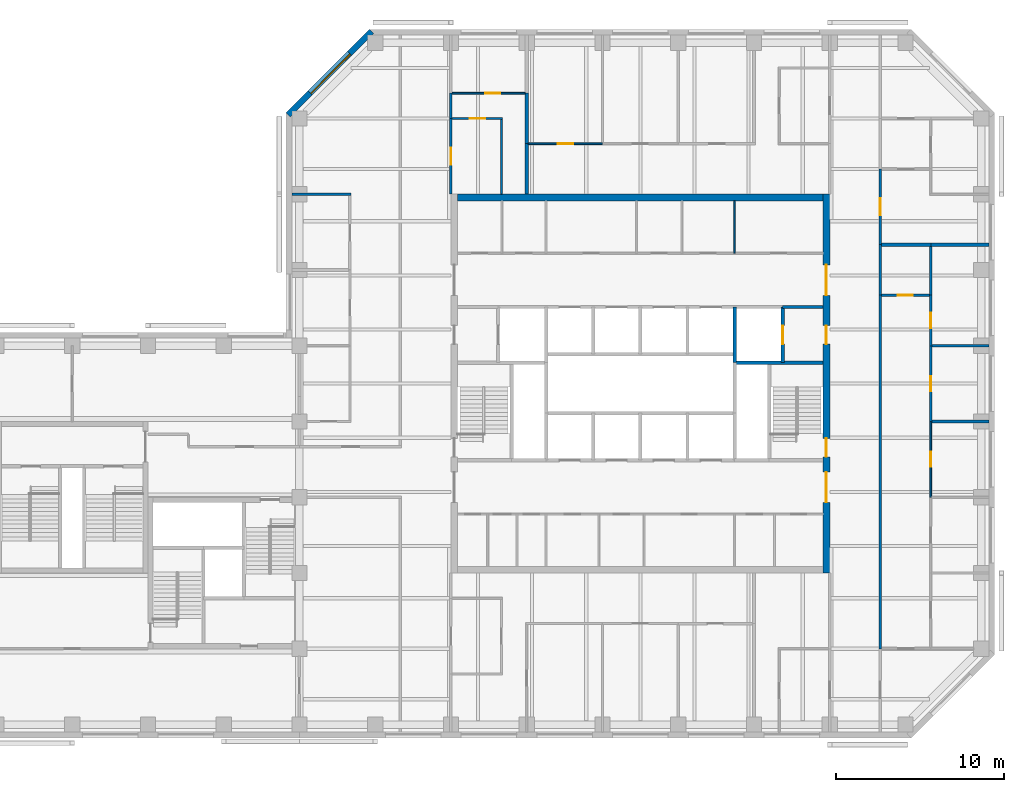
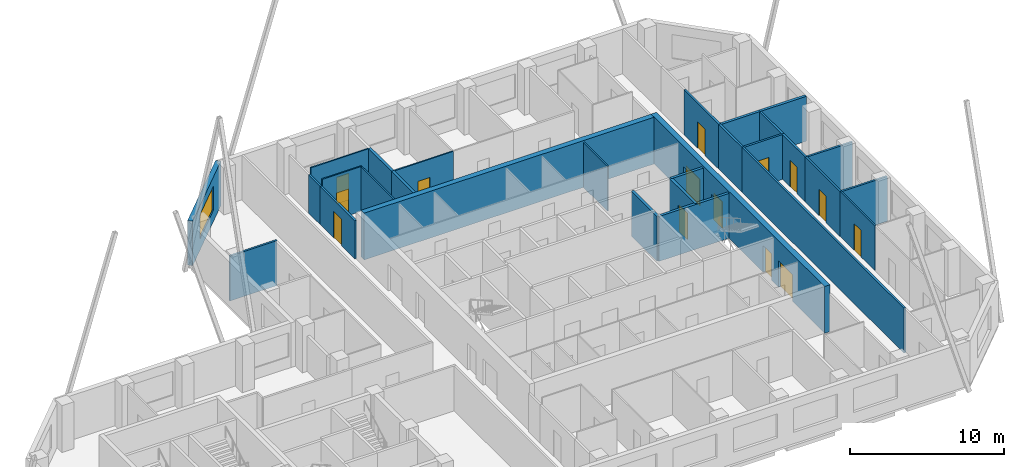
# One storey, part 7 of 10: 29 walls, 14 doors, 1 window, 15 openings.
"""IFC4 building model written with IfcOpenShell, lengths in metres."""

import ifcopenshell
import ifcopenshell.guid

model = None  # the IFC model being written
_history = None  # IfcOwnerHistory: only IFC2X3 demands one
_inside = {}  # id of a spatial element -> (the spatial element, [elements in it])
_under = {}  # id of a project, library or spatial element -> (it, [spatial elements below it])
_declared = {}  # id of a project -> (the project, [libraries it declares])
_typed = {}  # id of a type object -> (the type object, [elements of that type])
_made_of = {}  # id of a material, layer set ... -> (it, [elements and type objects made of it])


def new_model(schema):
    """Start an empty IFC model of exactly this schema.

    Asked for "IFC4X3", IfcOpenShell would pick the latest addendum, in which some entities
    have other attributes; the version numbers below select the first issue.
    IFC2X3 requires an IfcOwnerHistory on every rooted entity: one is made here for all.
    """
    global model, _history
    if schema == "IFC4X3":
        model = ifcopenshell.file(schema_version=(4, 3, 0, 0))
    else:
        model = ifcopenshell.file(schema=schema)
    _inside.clear()
    _under.clear()
    _declared.clear()
    _typed.clear()
    _made_of.clear()
    _history = None
    if model.schema == "IFC2X3":
        org = make("IfcOrganization", Name="unknown")
        user = make(
            "IfcPersonAndOrganization",
            ThePerson=make("IfcPerson", FamilyName="unknown"),
            TheOrganization=org,
        )
        app = make(
            "IfcApplication",
            ApplicationDeveloper=org,
            Version="unknown",
            ApplicationFullName="unknown",
            ApplicationIdentifier="unknown",
        )
        _history = make(
            "IfcOwnerHistory",
            OwningUser=user,
            OwningApplication=app,
            ChangeAction="ADDED",
            CreationDate=0,
        )
    return model


def make(cls, **values):
    """One entity of the class cls with the attributes given. An attribute that is None is left unset."""
    return model.create_entity(
        cls, **{name: value for name, value in values.items() if value is not None}
    )


def rooted(cls, **values):
    """An entity with a GlobalId (a new one), such as an element, a storey or a relation."""
    return make(cls, GlobalId=ifcopenshell.guid.new(), OwnerHistory=_history, **values)


def si_unit(unit_type, name, prefix=None):
    """IfcSIUnit, for example si_unit("LENGTHUNIT", "METRE", prefix="MILLI")."""
    return make("IfcSIUnit", UnitType=unit_type, Prefix=prefix, Name=name)


def assignment(units):
    """IfcUnitAssignment: the units of a project."""
    return None if units is None else make("IfcUnitAssignment", Units=units)


def point(xyz):
    """IfcCartesianPoint."""
    return None if xyz is None else make("IfcCartesianPoint", Coordinates=xyz)


def direction(xyz):
    """IfcDirection."""
    return None if xyz is None else make("IfcDirection", DirectionRatios=xyz)


def frame(location, z_axis=None, x_axis=None):
    """IfcAxis2Placement3D, a coordinate frame: its origin and axes. An axis left out is left unset."""
    return make(
        "IfcAxis2Placement3D",
        Location=point(location),
        Axis=direction(z_axis),
        RefDirection=direction(x_axis),
    )


def frame_2d(location, x_axis=None):
    """IfcAxis2Placement2D, a coordinate frame in the plane: its origin and x axis."""
    return make(
        "IfcAxis2Placement2D", Location=point(location), RefDirection=direction(x_axis)
    )


def origin():
    """The frame at (0, 0, 0) with its axes left unset."""
    return frame((0.0, 0.0, 0.0))


def place(relative_to, where):
    """IfcLocalPlacement: puts the frame where relative to a parent placement (None: the world)."""
    return make(
        "IfcLocalPlacement", PlacementRelTo=relative_to, RelativePlacement=where
    )


def context(
    kind, dimensions, precision=None, world=None, true_north=None, identifier=None
):
    """IfcGeometricRepresentationContext, for example the 3D "Model" context."""
    return make(
        "IfcGeometricRepresentationContext",
        ContextIdentifier=identifier,
        ContextType=kind,
        CoordinateSpaceDimension=dimensions,
        Precision=precision,
        WorldCoordinateSystem=world,
        TrueNorth=true_north,
    )


def subcontext(parent, identifier, kind, view, scale=None):
    """IfcGeometricRepresentationSubContext, for example "Body" below "Model"."""
    return make(
        "IfcGeometricRepresentationSubContext",
        ContextIdentifier=identifier,
        ContextType=kind,
        ParentContext=parent,
        TargetScale=scale,
        TargetView=view,
    )


def project(units=None, contexts=None):
    """IfcProject with its units and contexts."""
    return rooted(
        "IfcProject",
        Name="project",
        RepresentationContexts=contexts,
        UnitsInContext=assignment(units),
    )


def spatial(cls, under=None, at=None, **own):
    """A site, building, storey or space (cls), placed at a placement, below another one or the project."""
    s = rooted(cls, ObjectPlacement=at, **own)
    if under is not None:
        _under.setdefault(under.id(), (under, []))[1].append(s)
    return s


def profile(cls, at=None, kind="AREA", **sizes):
    """A parametric profile (cls). Its sizes go by their IFC names, for example OverallWidth=200.0."""
    return make(cls, ProfileType=kind, Position=at, **sizes)


def rectangle(**sizes):
    """IfcRectangleProfileDef."""
    return profile("IfcRectangleProfileDef", **sizes)


def extrude(swept, where, along, depth):
    """IfcExtrudedAreaSolid: the profile swept, set in the frame where, extruded along a direction by depth."""
    return make(
        "IfcExtrudedAreaSolid",
        SweptArea=swept,
        Position=where,
        ExtrudedDirection=direction(along),
        Depth=depth,
    )


def shape(context_of_items, identifier, shape_type, items):
    """IfcShapeRepresentation: the items that make up one representation, for example the "Body"."""
    return make(
        "IfcShapeRepresentation",
        ContextOfItems=context_of_items,
        RepresentationIdentifier=identifier,
        RepresentationType=shape_type,
        Items=items,
    )


def material(Name=None, Category=None):
    """IfcMaterial."""
    return make("IfcMaterial", Name=Name, Category=Category)


def layer(
    of_material, thickness, ventilated=None, Name=None, Category=None, Priority=None
):
    """IfcMaterialLayer: one layer of a wall or slab, of a material (None: an air gap)."""
    return make(
        "IfcMaterialLayer",
        Material=of_material,
        LayerThickness=thickness,
        IsVentilated=ventilated,
        Name=Name,
        Category=Category,
        Priority=Priority,
    )


def layer_set(layers, Name=None):
    """IfcMaterialLayerSet."""
    return make("IfcMaterialLayerSet", MaterialLayers=layers, LayerSetName=Name)


def constituent(of_material, Name=None, Category=None, fraction=None):
    """IfcMaterialConstituent: one of the materials an element consists of."""
    return make(
        "IfcMaterialConstituent",
        Name=Name,
        Material=of_material,
        Fraction=fraction,
        Category=Category,
    )


def constituent_set(constituents=None, Name=None):
    """IfcMaterialConstituentSet."""
    return make(
        "IfcMaterialConstituentSet", Name=Name, MaterialConstituents=constituents
    )


def made_of(thing, what):
    """Note that an element or type object is made of a material, layer set ...; save() writes the relation."""
    if what is not None:
        _made_of.setdefault(what.id(), (what, []))[1].append(thing)
    return thing


def type_object(cls, material=None, **own):
    """A type object (cls), such as IfcWallType, which elements share."""
    return made_of(rooted(cls, **own), material)


def element(
    cls,
    number,
    at=None,
    inside=None,
    cuts=None,
    type_object=None,
    material=None,
    context=None,
    identifier="Body",
    shape_type=None,
    held_by="IfcProductDefinitionShape",
    body=None,
    shapes=None,
    **own,
):
    """One element of the class cls, such as IfcWall. Its Tag is "e" and its number.

    at: its placement. inside: the storey or other place that contains it. cuts: it is an
    opening in that element (IfcRelVoidsElement). A single representation is given by context,
    identifier, shape_type and body (its items); several are given by shapes. held_by: the class
    of the entity that holds the representations. save() writes the other relations.
    """
    e = rooted(cls, Tag="e%d" % number, ObjectPlacement=at, **own)
    if body is not None:
        shapes = [shape(context, identifier, shape_type, body)]
    if shapes is not None:
        e.Representation = make(held_by, Representations=shapes)
    if inside is not None:
        _inside.setdefault(inside.id(), (inside, []))[1].append(e)
    if cuts is not None:
        rooted(
            "IfcRelVoidsElement", RelatingBuildingElement=cuts, RelatedOpeningElement=e
        )
    if type_object is not None:
        _typed.setdefault(type_object.id(), (type_object, []))[1].append(e)
    return made_of(e, material)


def fill(opening, filler):
    """IfcRelFillsElement: the door or window that sits in an opening."""
    return rooted(
        "IfcRelFillsElement",
        RelatingOpeningElement=opening,
        RelatedBuildingElement=filler,
    )


def aggregate(whole, parts):
    """IfcRelAggregates: a whole, such as a stair, and the parts it consists of."""
    return rooted("IfcRelAggregates", RelatingObject=whole, RelatedObjects=parts)


def save(model, path):
    """Write the relations noted so far, then the file.

    IfcRelAggregates (storeys below a building ...), IfcRelContainedInSpatialStructure (elements
    in a storey), IfcRelDefinesByType, IfcRelAssociatesMaterial and IfcRelDeclares: one each for
    every whole, place, type object, material and project.
    """
    for whole, parts in _under.values():
        aggregate(whole, parts)
    for where, things in _inside.values():
        rooted(
            "IfcRelContainedInSpatialStructure",
            RelatedElements=things,
            RelatingStructure=where,
        )
    for kind, things in _typed.values():
        rooted("IfcRelDefinesByType", RelatedObjects=things, RelatingType=kind)
    for what, things in _made_of.values():
        rooted("IfcRelAssociatesMaterial", RelatedObjects=things, RelatingMaterial=what)
    for by, libraries in _declared.values():
        rooted("IfcRelDeclares", RelatingContext=by, RelatedDefinitions=libraries)
    model.write(path)


model = new_model("IFC4")

# Units and contexts
model_context = context("Model", 3, precision=1e-05, world=origin(), true_north=direction((0.0, 1.0)))
body_context = subcontext(model_context, "Body", "Model", "MODEL_VIEW")
ifc_project = project(units=[si_unit("LENGTHUNIT", "METRE"), si_unit("AREAUNIT", "SQUARE_METRE"), si_unit("VOLUMEUNIT", "CUBIC_METRE"), si_unit("PLANEANGLEUNIT", "RADIAN"), si_unit("MASSUNIT", "GRAM", prefix="KILO")], contexts=[model_context])

# Site, building, storey
site_placement = place(None, origin())
site = spatial("IfcSite", under=ifc_project, at=site_placement, CompositionType="ELEMENT")
building_placement = place(site_placement, origin())
building = spatial("IfcBuilding", under=site, at=building_placement, Name="Quoin Convention Tower", CompositionType="ELEMENT")
storey_placement = place(building_placement, frame((0.0, 0.0, 188.39990234375)))
storey = spatial("IfcBuildingStorey", under=building, at=storey_placement, Name="L49", CompositionType="ELEMENT", Elevation=188.39990234375)

# Walls
ifc_material_1 = material(Name="Plasterboard")
ifc_layer_1 = layer(ifc_material_1, 0.012451171875, Name="Finish")
ifc_material_2 = material(Name="Steel stud framing", Category="steel")
ifc_layer_2 = layer(ifc_material_2, 0.125, Name="Structure")
ifc_layer_3 = layer(ifc_material_1, 0.012451171875, Name="Finish")
ifc_layer_set_1 = layer_set([ifc_layer_1, ifc_layer_2, ifc_layer_3], Name="Steel stud framing")
wall_type_1 = type_object("IfcWallType", Name="Acoustic partition 150", PredefinedType="PARTITIONING", material=ifc_layer_set_1)
for number, where, z_axis, x_axis, name in (
    (1, (73.574951171875, 58.5, 0.0), (0.0, 0.0, 1.0), (1.0, 0.0, 0.0), "pw-L49-022"),
    (2, (73.574951171875, 63.0, 0.0), (0.0, 0.0, 1.0), (1.0, 0.0, 0.0), "pw-L49-027"),
):
    element("IfcWall", number, at=place(storey_placement, frame(where, z_axis=z_axis, x_axis=x_axis)), inside=storey, type_object=wall_type_1, Name=name, PredefinedType="PARTITIONING", context=body_context, shape_type="SweptSolid", body=[
        extrude(rectangle(XDim=3.375, YDim=0.14990234375, at=frame_2d((1.6875, 0.0))), origin(), (0.0, 0.0, 1.0), 3.550048828125),
    ])
wall_1_placement = place(storey_placement, frame((35.550048828125, 72.0, 0.0), z_axis=(0.0, 0.0, 1.0), x_axis=(1.0, 0.0, 0.0)))
element("IfcWall", 3, at=wall_1_placement, inside=storey, type_object=wall_type_1, Name="pw-L49-032", PredefinedType="PARTITIONING", context=body_context, shape_type="SweptSolid", body=[
    extrude(rectangle(XDim=3.52490234375, YDim=0.14990234375, at=frame_2d((1.762451171875, 0.0))), origin(), (0.0, 0.0, 1.0), 3.550048828125),
])

# Wall, opening, door
wall_2_placement = place(storey_placement, frame((73.5, 58.5, 0.0), z_axis=(0.0, 0.0, 1.0), x_axis=(0.0, 1.0, 0.0)))
wall_2 = element("IfcWall", 4, at=wall_2_placement, inside=storey, type_object=wall_type_1, Name="pw-L49-074", PredefinedType="PARTITIONING", context=body_context, shape_type="SweptSolid", body=[
    extrude(rectangle(XDim=4.5, YDim=0.14990234375, at=frame_2d((2.25, 0.0))), origin(), (0.0, 0.0, 1.0), 3.550048828125),
])
opening_1_placement = place(wall_2_placement, frame((1.800048828125, 0.0, 0.0)))
opening_1 = element("IfcOpeningElement", 5, at=opening_1_placement, cuts=wall_2, Name="Opening DOH6-25", PredefinedType="OPENING", context=body_context, shape_type="SweptSolid", body=[
    extrude(rectangle(XDim=0.89990234375, YDim=2.10009765625, at=frame_2d((0.449951171875, 1.050048828125))), frame((0.0, 0.0849609375, 0.0), z_axis=(0.0, -1.0, 0.0), x_axis=(1.0, 0.0, 0.0)), (0.0, 0.0, 1.0), 0.169921875),
])
ifc_material_3 = material(Name="Steel door leaf", Category="steel")
door_type_1 = type_object("IfcDoorType", Name="Office door 900 x 2100", OperationType="SINGLE_SWING_RIGHT", PredefinedType="DOOR", material=ifc_material_3)
door_1_placement = place(opening_1_placement, origin())
door_1 = element("IfcDoor", 6, at=door_1_placement, inside=storey, type_object=door_type_1, Name="dr-L49-37", OperationType="SINGLE_SWING_RIGHT", OverallHeight=2.10009765625, OverallWidth=0.89990234375, PredefinedType="DOOR", context=body_context, shape_type="SweptSolid", body=[
    extrude(rectangle(XDim=0.89990234375, YDim=2.10009765625, at=frame_2d((0.449951171875, 1.050048828125))), frame((0.0, 0.02490234375, 0.0), z_axis=(0.0, -1.0, 0.0), x_axis=(1.0, 0.0, 0.0)), (0.0, 0.0, 1.0), 0.050048828125),
])
fill(opening_1, door_1)

wall_3_placement = place(storey_placement, frame((73.5, 63.0, 0.0), z_axis=(0.0, 0.0, 1.0), x_axis=(0.0, 1.0, 0.0)))
wall_3 = element("IfcWall", 7, at=wall_3_placement, inside=storey, type_object=wall_type_1, Name="pw-L49-083", PredefinedType="PARTITIONING", context=body_context, shape_type="SweptSolid", body=[
    extrude(rectangle(XDim=3.0, YDim=0.14990234375, at=frame_2d((1.5, 0.0))), origin(), (0.0, 0.0, 1.0), 3.550048828125),
])
opening_2_placement = place(wall_3_placement, frame((1.050048828125, 0.0, 0.0)))
opening_2 = element("IfcOpeningElement", 8, at=opening_2_placement, cuts=wall_3, Name="Opening DOH6-27", PredefinedType="OPENING", context=body_context, shape_type="SweptSolid", body=[
    extrude(rectangle(XDim=0.89990234375, YDim=2.10009765625, at=frame_2d((0.449951171875, 1.050048828125))), frame((0.0, 0.0849609375, 0.0), z_axis=(0.0, -1.0, 0.0), x_axis=(1.0, 0.0, 0.0)), (0.0, 0.0, 1.0), 0.169921875),
])
door_2_placement = place(opening_2_placement, origin())
door_2 = element("IfcDoor", 9, at=door_2_placement, inside=storey, type_object=door_type_1, Name="dr-L49-38", OperationType="SINGLE_SWING_RIGHT", OverallHeight=2.10009765625, OverallWidth=0.89990234375, PredefinedType="DOOR", context=body_context, shape_type="SweptSolid", body=[
    extrude(rectangle(XDim=0.89990234375, YDim=2.10009765625, at=frame_2d((0.449951171875, 1.050048828125))), frame((0.0, 0.02490234375, 0.0), z_axis=(0.0, -1.0, 0.0), x_axis=(1.0, 0.0, 0.0)), (0.0, 0.0, 1.0), 0.050048828125),
])
fill(opening_2, door_2)

# Wall, opening, window
ifc_material_4 = material(Name="Brick masonry", Category="masonry")
ifc_layer_4 = layer(ifc_material_4, 0.35009765625)
ifc_layer_set_2 = layer_set([ifc_layer_4], Name="Brick masonry")
wall_type_2 = type_object("IfcWallType", Name="Brick facade wall", PredefinedType="STANDARD", material=ifc_layer_set_2)
wall_4_placement = place(storey_placement, frame((40.29248046875, 81.67626953125, 0.0), z_axis=(0.0, 0.0, 1.0), x_axis=(-0.707106781187, -0.707106781187, 0.0)))
wall_4 = element("IfcWall", 10, at=wall_4_placement, inside=storey, type_object=wall_type_2, Name="fw-L49-40500_81000", PredefinedType="STANDARD", context=body_context, shape_type="SweptSolid", body=[
    extrude(rectangle(XDim=7.02685546875, YDim=0.35009765625, at=frame_2d((3.513427734375, 0.0))), origin(), (0.0, 0.0, 1.0), 3.525146484375),
])
opening_3_placement = place(wall_4_placement, frame((1.86328125, 0.0, 0.89990234375)))
opening_3 = element("IfcOpeningElement", 11, at=opening_3_placement, cuts=wall_4, Name="Opening W-02", PredefinedType="OPENING", context=body_context, shape_type="SweptSolid", body=[
    extrude(rectangle(XDim=3.300048828125, YDim=1.89990234375, at=frame_2d((1.64990234375, 0.949951171875))), frame((0.0, 0.18505859375, 0.0), z_axis=(0.0, -1.0, 0.0), x_axis=(1.0, 0.0, 0.0)), (0.0, 0.0, 1.0), 0.3701171875),
])
ifc_material_5 = material(Name="Aluminium", Category="aluminium")
ifc_constituent_1 = constituent(ifc_material_5, Name="Frame")
ifc_material_6 = material(Name="Insulated glass", Category="glass")
ifc_constituent_2 = constituent(ifc_material_6, Name="Glazing")
ifc_constituent_set = constituent_set(constituents=[ifc_constituent_1, ifc_constituent_2], Name="Aluminium")
window_type = type_object("IfcWindowType", Name="Office window", PartitioningType="DOUBLE_PANEL_VERTICAL", PredefinedType="WINDOW", material=ifc_constituent_set)
window_placement = place(opening_3_placement, origin())
window = element("IfcWindow", 12, at=window_placement, inside=storey, type_object=window_type, Name="win-L49-37808_79192", OverallHeight=1.89990234375, OverallWidth=3.300048828125, PartitioningType="SINGLE_PANEL", PredefinedType="WINDOW", context=body_context, shape_type="SweptSolid", body=[
    extrude(rectangle(XDim=3.300048828125, YDim=1.89990234375, at=frame_2d((1.64990234375, 0.949951171875))), frame((0.0, 0.0849609375, 0.0), z_axis=(0.0, -1.0, 0.0), x_axis=(1.0, 0.0, 0.0)), (0.0, 0.0, 1.0), 0.06005859375),
])
fill(opening_3, window)

# Walls
ifc_layer_5 = layer(ifc_material_1, 0.012451171875, Name="Finish")
ifc_layer_6 = layer(ifc_material_2, 0.074951171875, Name="Structure")
ifc_layer_7 = layer(ifc_material_1, 0.012451171875, Name="Finish")
ifc_layer_set_3 = layer_set([ifc_layer_5, ifc_layer_6, ifc_layer_7], Name="Steel stud framing")
wall_type_3 = type_object("IfcWallType", Name="Core partition wall", PredefinedType="PARTITIONING", material=ifc_layer_set_3)
wall_5_placement = place(storey_placement, frame((61.85009765625, 68.5, 0.0), z_axis=(0.0, 0.0, 1.0), x_axis=(0.0, 1.0, 0.0)))
element("IfcWall", 13, at=wall_5_placement, inside=storey, type_object=wall_type_3, Name="cr-C1-L49-v16850_19000", PredefinedType="PARTITIONING", context=body_context, shape_type="SweptSolid", body=[
    extrude(rectangle(XDim=3.10009765625, YDim=0.10009765625, at=frame_2d((1.550048828125, 0.0))), origin(), (0.0, 0.0, 1.0), 3.550048828125),
])
ifc_material_7 = material(Name="Concrete C50", Category="concrete")
ifc_layer_8 = layer(ifc_material_7, 0.199951171875)
ifc_layer_set_4 = layer_set([ifc_layer_8], Name="Concrete C50")
wall_type_4 = type_object("IfcWallType", Name="Core shaft wall", PredefinedType="SOLIDWALL", material=ifc_layer_set_4)
wall_6_placement = place(storey_placement, frame((61.85009765625, 62.0, 0.0), z_axis=(0.0, 0.0, 1.0), x_axis=(1.0, 0.0, 0.0)))
element("IfcWall", 14, at=wall_6_placement, inside=storey, type_object=wall_type_4, Name="cr-C1-L49-h12500_16850", PredefinedType="SOLIDWALL", context=body_context, shape_type="SweptSolid", body=[
    extrude(rectangle(XDim=5.25, YDim=0.199951171875, at=frame_2d((2.625, 0.0))), origin(), (0.0, 0.0, 1.0), 3.550048828125),
])
wall_7_placement = place(storey_placement, frame((64.699951171875, 65.300048828125, 0.0), z_axis=(0.0, 0.0, 1.0), x_axis=(1.0, 0.0, 0.0)))
element("IfcWall", 15, at=wall_7_placement, inside=storey, type_object=wall_type_4, Name="cr-C1-L49-h15800_19700", PredefinedType="SOLIDWALL", context=body_context, shape_type="SweptSolid", body=[
    extrude(rectangle(XDim=2.400146484375, YDim=0.199951171875, at=frame_2d((1.2001953125, 0.0))), origin(), (0.0, 0.0, 1.0), 3.550048828125),
])
wall_8_placement = place(storey_placement, frame((61.85009765625, 62.0, 0.0), z_axis=(0.0, 0.0, 1.0), x_axis=(0.0, 1.0, 0.0)))
element("IfcWall", 16, at=wall_8_placement, inside=storey, type_object=wall_type_4, Name="cr-C1-L49-v16850_12500", PredefinedType="SOLIDWALL", context=body_context, shape_type="SweptSolid", body=[
    extrude(rectangle(XDim=3.300048828125, YDim=0.199951171875, at=frame_2d((1.64990234375, 0.0))), origin(), (0.0, 0.0, 1.0), 3.550048828125),
])

# Wall, opening, door
wall_9_placement = place(storey_placement, frame((64.699951171875, 62.0, 0.0), z_axis=(0.0, 0.0, 1.0), x_axis=(0.0, 1.0, 0.0)))
wall_9 = element("IfcWall", 17, at=wall_9_placement, inside=storey, type_object=wall_type_4, Name="cr-C1-L49-v19700_12500", PredefinedType="SOLIDWALL", context=body_context, shape_type="SweptSolid", body=[
    extrude(rectangle(XDim=3.300048828125, YDim=0.199951171875, at=frame_2d((1.64990234375, 0.0))), origin(), (0.0, 0.0, 1.0), 3.550048828125),
])
opening_4_placement = place(wall_9_placement, frame((1.10009765625, 0.0, 0.0)))
opening_4 = element("IfcOpeningElement", 18, at=opening_4_placement, cuts=wall_9, Name="Opening LDFL2", PredefinedType="OPENING", context=body_context, shape_type="SweptSolid", body=[
    extrude(rectangle(XDim=1.10009765625, YDim=2.10009765625, at=frame_2d((0.550048828125, 1.050048828125))), frame((0.0, 0.10986328125, 0.0), z_axis=(0.0, -1.0, 0.0), x_axis=(1.0, 0.0, 0.0)), (0.0, 0.0, 1.0), 0.219970703125),
])
door_type_2 = type_object("IfcDoorType", Name="Lift landing door 1100 x 2100", OperationType="DOUBLE_DOOR_SLIDING", PredefinedType="DOOR", material=ifc_material_3)
door_3_placement = place(opening_4_placement, origin())
door_3 = element("IfcDoor", 19, at=door_3_placement, inside=storey, type_object=door_type_2, Name="cd-C1-L49-FLE-FFE-LDFL2", OperationType="DOUBLE_DOOR_SLIDING", OverallHeight=2.10009765625, OverallWidth=1.10009765625, PredefinedType="DOOR", context=body_context, shape_type="SweptSolid", body=[
    extrude(rectangle(XDim=1.10009765625, YDim=2.10009765625, at=frame_2d((0.550048828125, 1.050048828125))), frame((0.0, 0.02490234375, 0.0), z_axis=(0.0, -1.0, 0.0), x_axis=(1.0, 0.0, 0.0)), (0.0, 0.0, 1.0), 0.050048828125),
])
fill(opening_4, door_3)

# Walls
ifc_layer_9 = layer(ifc_material_1, 0.012451171875, Name="Finish")
ifc_layer_10 = layer(ifc_material_2, 0.125, Name="Structure")
ifc_layer_11 = layer(ifc_material_1, 0.012451171875, Name="Finish")
ifc_layer_set_5 = layer_set([ifc_layer_9, ifc_layer_10, ifc_layer_11], Name="Steel stud framing")
wall_type_5 = type_object("IfcWallType", Name="Corridor wall 150", PredefinedType="PARTITIONING", material=ifc_layer_set_5)
wall_10_placement = place(storey_placement, frame((70.5, 45.0, 0.0), z_axis=(0.0, 0.0, 1.0), x_axis=(0.0, 1.0, 0.0)))
element("IfcWall", 20, at=wall_10_placement, inside=storey, type_object=wall_type_5, Name="pw-L49-059", PredefinedType="PARTITIONING", context=body_context, shape_type="SweptSolid", body=[
    extrude(rectangle(XDim=21.0, YDim=0.14990234375, at=frame_2d((10.5, 0.0))), origin(), (0.0, 0.0, 1.0), 3.550048828125),
])
wall_11_placement = place(storey_placement, frame((70.5, 66.0, 0.0), z_axis=(0.0, 0.0, 1.0), x_axis=(0.0, 1.0, 0.0)))
element("IfcWall", 21, at=wall_11_placement, inside=storey, type_object=wall_type_5, Name="pw-L49-084", PredefinedType="PARTITIONING", context=body_context, shape_type="SweptSolid", body=[
    extrude(rectangle(XDim=3.0, YDim=0.14990234375, at=frame_2d((1.5, 0.0))), origin(), (0.0, 0.0, 1.0), 3.550048828125),
])

# Wall, opening, door
wall_12_placement = place(storey_placement, frame((70.5, 69.0, 0.0), z_axis=(0.0, 0.0, 1.0), x_axis=(0.0, 1.0, 0.0)))
wall_12 = element("IfcWall", 22, at=wall_12_placement, inside=storey, type_object=wall_type_5, Name="pw-L49-087", PredefinedType="PARTITIONING", context=body_context, shape_type="SweptSolid", body=[
    extrude(rectangle(XDim=4.5, YDim=0.14990234375, at=frame_2d((2.25, 0.0))), origin(), (0.0, 0.0, 1.0), 3.550048828125),
])
opening_5_placement = place(wall_12_placement, frame((1.75, 0.0, 0.0)))
opening_5 = element("IfcOpeningElement", 23, at=opening_5_placement, cuts=wall_12, Name="Opening DOH6-29", PredefinedType="OPENING", context=body_context, shape_type="SweptSolid", body=[
    extrude(rectangle(XDim=1.0, YDim=2.10009765625, at=frame_2d((0.5, 1.050048828125))), frame((0.0, 0.0849609375, 0.0), z_axis=(0.0, -1.0, 0.0), x_axis=(1.0, 0.0, 0.0)), (0.0, 0.0, 1.0), 0.169921875),
])
door_type_3 = type_object("IfcDoorType", Name="Tenancy entrance door 1000 x 2100", OperationType="DOUBLE_DOOR_SINGLE_SWING", PredefinedType="DOOR", material=ifc_material_3)
door_4_placement = place(opening_5_placement, frame((1.0, 0.0, 0.0), z_axis=(0.0, 0.0, 1.0), x_axis=(-1.0, 0.0, 0.0)))
door_4 = element("IfcDoor", 24, at=door_4_placement, inside=storey, type_object=door_type_3, Name="dr-L49-39", OperationType="DOUBLE_DOOR_SINGLE_SWING", OverallHeight=2.10009765625, OverallWidth=1.0, PredefinedType="DOOR", context=body_context, shape_type="SweptSolid", body=[
    extrude(rectangle(XDim=1.0, YDim=2.10009765625, at=frame_2d((0.5, 1.050048828125))), frame((0.0, 0.02490234375, 0.0), z_axis=(0.0, -1.0, 0.0), x_axis=(1.0, 0.0, 0.0)), (0.0, 0.0, 1.0), 0.050048828125),
])
fill(opening_5, door_4)

ifc_layer_12 = layer(ifc_material_1, 0.012451171875, Name="Finish")
ifc_layer_13 = layer(ifc_material_2, 0.125, Name="Structure")
ifc_layer_14 = layer(ifc_material_1, 0.012451171875, Name="Finish")
ifc_layer_set_6 = layer_set([ifc_layer_12, ifc_layer_13, ifc_layer_14], Name="Steel stud framing")
wall_type_6 = type_object("IfcWallType", Name="Corridor wall 150 under beam 528", PredefinedType="PARTITIONING", material=ifc_layer_set_6)
wall_13_placement = place(storey_placement, frame((45.0, 72.0, 0.0), z_axis=(0.0, 0.0, 1.0), x_axis=(0.0, 1.0, 0.0)))
wall_13 = element("IfcWall", 25, at=wall_13_placement, inside=storey, type_object=wall_type_6, Name="pw-L49-088", PredefinedType="PARTITIONING", context=body_context, shape_type="SweptSolid", body=[
    extrude(rectangle(XDim=4.5, YDim=0.14990234375, at=frame_2d((2.25, 0.0))), origin(), (0.0, 0.0, 1.0), 3.022216796875),
])
opening_6_placement = place(wall_13_placement, frame((1.75, 0.0, 0.0)))
opening_6 = element("IfcOpeningElement", 26, at=opening_6_placement, cuts=wall_13, Name="Opening DOH6-30", PredefinedType="OPENING", context=body_context, shape_type="SweptSolid", body=[
    extrude(rectangle(XDim=1.0, YDim=2.10009765625, at=frame_2d((0.5, 1.050048828125))), frame((0.0, 0.0849609375, 0.0), z_axis=(0.0, -1.0, 0.0), x_axis=(1.0, 0.0, 0.0)), (0.0, 0.0, 1.0), 0.169921875),
])
door_5_placement = place(opening_6_placement, frame((1.0, 0.0, 0.0), z_axis=(0.0, 0.0, 1.0), x_axis=(-1.0, 0.0, 0.0)))
door_5 = element("IfcDoor", 27, at=door_5_placement, inside=storey, type_object=door_type_3, Name="dr-L49-23", OperationType="DOUBLE_DOOR_SINGLE_SWING", OverallHeight=2.10009765625, OverallWidth=1.0, PredefinedType="DOOR", context=body_context, shape_type="SweptSolid", body=[
    extrude(rectangle(XDim=1.0, YDim=2.10009765625, at=frame_2d((0.5, 1.050048828125))), frame((0.0, 0.02490234375, 0.0), z_axis=(0.0, -1.0, 0.0), x_axis=(1.0, 0.0, 0.0)), (0.0, 0.0, 1.0), 0.050048828125),
])
fill(opening_6, door_5)

# Walls
wall_14_placement = place(storey_placement, frame((45.0, 76.5, 0.0), z_axis=(0.0, 0.0, 1.0), x_axis=(0.0, 1.0, 0.0)))
element("IfcWall", 28, at=wall_14_placement, inside=storey, type_object=wall_type_6, Name="pw-L49-101", PredefinedType="PARTITIONING", context=body_context, shape_type="SweptSolid", body=[
    extrude(rectangle(XDim=1.5, YDim=0.14990234375, at=frame_2d((0.75, 0.0))), origin(), (0.0, 0.0, 1.0), 3.022216796875),
])
ifc_layer_15 = layer(ifc_material_7, 0.39990234375)
ifc_layer_set_7 = layer_set([ifc_layer_15], Name="Concrete C50")
wall_type_7 = type_object("IfcWallType", Name="RC CORE WALL 400 C50", PredefinedType="SHEAR", material=ifc_layer_set_7)
wall_15_placement = place(storey_placement, frame((45.39990234375, 71.800048828125, 0.0), z_axis=(0.0, 0.0, 1.0), x_axis=(1.0, 0.0, 0.0)))
element("IfcWall", 29, at=wall_15_placement, inside=storey, type_object=wall_type_7, Name="cwl-C1-L49-N", PredefinedType="SHEAR", context=body_context, shape_type="SweptSolid", body=[
    extrude(rectangle(XDim=21.7001953125, YDim=0.39990234375, at=frame_2d((10.85009765625, 0.0))), origin(), (0.0, 0.0, 1.0), 3.7001953125),
])

# Wall, openings, doors
wall_16_placement = place(storey_placement, frame((67.300048828125, 49.5, 0.0), z_axis=(0.0, 0.0, 1.0), x_axis=(0.0, 1.0, 0.0)))
wall_16 = element("IfcWall", 30, at=wall_16_placement, inside=storey, type_object=wall_type_7, Name="cwl-C1-L49-E", PredefinedType="SHEAR", context=body_context, shape_type="SweptSolid", body=[
    extrude(rectangle(XDim=22.5, YDim=0.39990234375, at=frame_2d((11.25, 0.0))), origin(), (0.0, 0.0, 1.0), 3.7001953125),
])
opening_7_placement = place(wall_16_placement, frame((4.199951171875, 0.0, 0.0)))
opening_7 = element("IfcOpeningElement", 31, at=opening_7_placement, cuts=wall_16, Name="Opening DCV5-48", PredefinedType="OPENING", context=body_context, shape_type="SweptSolid", body=[
    extrude(rectangle(XDim=1.800048828125, YDim=2.10009765625, at=frame_2d((0.89990234375, 1.050048828125))), frame((0.0, 0.2099609375, 0.0), z_axis=(0.0, -1.0, 0.0), x_axis=(1.0, 0.0, 0.0)), (0.0, 0.0, 1.0), 0.419921875),
])
opening_8_placement = place(wall_16_placement, frame((6.89990234375, 0.0, 0.0)))
opening_8 = element("IfcOpeningElement", 32, at=opening_8_placement, cuts=wall_16, Name="Opening SD2", PredefinedType="OPENING", context=body_context, shape_type="SweptSolid", body=[
    extrude(rectangle(XDim=1.10009765625, YDim=2.10009765625, at=frame_2d((0.550048828125, 1.050048828125))), frame((0.0, 0.2099609375, 0.0), z_axis=(0.0, -1.0, 0.0), x_axis=(1.0, 0.0, 0.0)), (0.0, 0.0, 1.0), 0.419921875),
])
opening_9_placement = place(wall_16_placement, frame((13.60009765625, 0.0, 0.0)))
opening_9 = element("IfcOpeningElement", 33, at=opening_9_placement, cuts=wall_16, Name="Opening DCV5-47", PredefinedType="OPENING", context=body_context, shape_type="SweptSolid", body=[
    extrude(rectangle(XDim=1.10009765625, YDim=2.10009765625, at=frame_2d((0.550048828125, 1.050048828125))), frame((0.0, 0.2099609375, 0.0), z_axis=(0.0, -1.0, 0.0), x_axis=(1.0, 0.0, 0.0)), (0.0, 0.0, 1.0), 0.419921875),
])
opening_10_placement = place(wall_16_placement, frame((16.5, 0.0, 0.0)))
opening_10 = element("IfcOpeningElement", 34, at=opening_10_placement, cuts=wall_16, Name="Opening DCV5-48", PredefinedType="OPENING", context=body_context, shape_type="SweptSolid", body=[
    extrude(rectangle(XDim=1.800048828125, YDim=2.10009765625, at=frame_2d((0.89990234375, 1.050048828125))), frame((0.0, 0.2099609375, 0.0), z_axis=(0.0, -1.0, 0.0), x_axis=(1.0, 0.0, 0.0)), (0.0, 0.0, 1.0), 0.419921875),
])
door_type_4 = type_object("IfcDoorType", Name="Fire-fighting lobby door 1100 x 2100", OperationType="SINGLE_SWING_LEFT", PredefinedType="DOOR", material=ifc_material_3)
door_6_placement = place(opening_9_placement, origin())
door_6 = element("IfcDoor", 35, at=door_6_placement, inside=storey, type_object=door_type_4, Name="cd-C1-L49-FFE-E", OperationType="SINGLE_SWING_RIGHT", OverallHeight=2.10009765625, OverallWidth=1.10009765625, PredefinedType="DOOR", context=body_context, shape_type="SweptSolid", body=[
    extrude(rectangle(XDim=1.10009765625, YDim=2.10009765625, at=frame_2d((0.550048828125, 1.050048828125))), frame((0.0, 0.02490234375, 0.0), z_axis=(0.0, -1.0, 0.0), x_axis=(1.0, 0.0, 0.0)), (0.0, 0.0, 1.0), 0.050048828125),
])
fill(opening_9, door_6)
door_type_5 = type_object("IfcDoorType", Name="Lift lobby door 1800 x 2100", OperationType="SINGLE_SWING_LEFT", PredefinedType="DOOR", material=ifc_material_3)
door_7_placement = place(opening_7_placement, origin())
door_7 = element("IfcDoor", 36, at=door_7_placement, inside=storey, type_object=door_type_5, Name="cd-C1-L49-lobA-E", OperationType="SINGLE_SWING_RIGHT", OverallHeight=2.10009765625, OverallWidth=1.800048828125, PredefinedType="DOOR", context=body_context, shape_type="SweptSolid", body=[
    extrude(rectangle(XDim=1.800048828125, YDim=2.10009765625, at=frame_2d((0.89990234375, 1.050048828125))), frame((0.0, 0.02490234375, 0.0), z_axis=(0.0, -1.0, 0.0), x_axis=(1.0, 0.0, 0.0)), (0.0, 0.0, 1.0), 0.050048828125),
])
fill(opening_7, door_7)
door_8_placement = place(opening_10_placement, origin())
door_8 = element("IfcDoor", 37, at=door_8_placement, inside=storey, type_object=door_type_5, Name="cd-C1-L49-lobB-E", OperationType="SINGLE_SWING_RIGHT", OverallHeight=2.10009765625, OverallWidth=1.800048828125, PredefinedType="DOOR", context=body_context, shape_type="SweptSolid", body=[
    extrude(rectangle(XDim=1.800048828125, YDim=2.10009765625, at=frame_2d((0.89990234375, 1.050048828125))), frame((0.0, 0.02490234375, 0.0), z_axis=(0.0, -1.0, 0.0), x_axis=(1.0, 0.0, 0.0)), (0.0, 0.0, 1.0), 0.050048828125),
])
fill(opening_10, door_8)
door_type_6 = type_object("IfcDoorType", Name="Stair door 1100 x 2100", OperationType="SINGLE_SWING_RIGHT", PredefinedType="DOOR", material=ifc_material_3)
door_9_placement = place(opening_8_placement, origin())
door_9 = element("IfcDoor", 38, at=door_9_placement, inside=storey, type_object=door_type_6, Name="cd-C1-L49-STE-E", OperationType="SINGLE_SWING_LEFT", OverallHeight=2.10009765625, OverallWidth=1.10009765625, PredefinedType="DOOR", context=body_context, shape_type="SweptSolid", body=[
    extrude(rectangle(XDim=1.10009765625, YDim=2.10009765625, at=frame_2d((0.550048828125, 1.050048828125))), frame((0.0, 0.02490234375, 0.0), z_axis=(0.0, -1.0, 0.0), x_axis=(1.0, 0.0, 0.0)), (0.0, 0.0, 1.0), 0.050048828125),
])
fill(opening_8, door_9)

# Wall, opening, door
ifc_layer_16 = layer(ifc_material_1, 0.012451171875, Name="Finish")
ifc_layer_17 = layer(ifc_material_2, 0.074951171875, Name="Structure")
ifc_layer_18 = layer(ifc_material_1, 0.012451171875, Name="Finish")
ifc_layer_set_8 = layer_set([ifc_layer_16, ifc_layer_17, ifc_layer_18], Name="Steel stud framing")
wall_type_8 = type_object("IfcWallType", Name="Stud partition 100", PredefinedType="PARTITIONING", material=ifc_layer_set_8)
wall_17_placement = place(storey_placement, frame((49.60009765625, 75.0, 0.0), z_axis=(0.0, 0.0, 1.0), x_axis=(1.0, 0.0, 0.0)))
wall_17 = element("IfcWall", 39, at=wall_17_placement, inside=storey, type_object=wall_type_8, Name="pw-L49-035", PredefinedType="PARTITIONING", context=body_context, shape_type="SweptSolid", body=[
    extrude(rectangle(XDim=4.39990234375, YDim=0.10009765625, at=frame_2d((2.199951171875, 0.0))), origin(), (0.0, 0.0, 1.0), 3.550048828125),
])
opening_11_placement = place(wall_17_placement, frame((1.75, 0.0, 0.0)))
opening_11 = element("IfcOpeningElement", 40, at=opening_11_placement, cuts=wall_17, Name="Opening DOH6-09", PredefinedType="OPENING", context=body_context, shape_type="SweptSolid", body=[
    extrude(rectangle(XDim=0.89990234375, YDim=2.10009765625, at=frame_2d((0.449951171875, 1.050048828125))), frame((0.0, 0.06005859375, 0.0), z_axis=(0.0, -1.0, 0.0), x_axis=(1.0, 0.0, 0.0)), (0.0, 0.0, 1.0), 0.1201171875),
])
door_10_placement = place(opening_11_placement, frame((0.89990234375, 0.0, 0.0), z_axis=(0.0, 0.0, 1.0), x_axis=(-1.0, 0.0, 0.0)))
door_10 = element("IfcDoor", 41, at=door_10_placement, inside=storey, type_object=door_type_1, Name="dr-L49-28", OperationType="SINGLE_SWING_LEFT", OverallHeight=2.10009765625, OverallWidth=0.89990234375, PredefinedType="DOOR", context=body_context, shape_type="SweptSolid", body=[
    extrude(rectangle(XDim=0.89990234375, YDim=2.10009765625, at=frame_2d((0.449951171875, 1.050048828125))), frame((0.0, 0.02490234375, 0.0), z_axis=(0.0, -1.0, 0.0), x_axis=(1.0, 0.0, 0.0)), (0.0, 0.0, 1.0), 0.050048828125),
])
fill(opening_11, door_10)

wall_18_placement = place(storey_placement, frame((45.074951171875, 76.5, 0.0), z_axis=(0.0, 0.0, 1.0), x_axis=(1.0, 0.0, 0.0)))
wall_18 = element("IfcWall", 42, at=wall_18_placement, inside=storey, type_object=wall_type_8, Name="pw-L49-039", PredefinedType="PARTITIONING", context=body_context, shape_type="SweptSolid", body=[
    extrude(rectangle(XDim=2.97509765625, YDim=0.10009765625, at=frame_2d((1.487548828125, 0.0))), origin(), (0.0, 0.0, 1.0), 3.550048828125),
])
opening_12_placement = place(wall_18_placement, frame((1.050048828125, 0.0, 0.0)))
opening_12 = element("IfcOpeningElement", 43, at=opening_12_placement, cuts=wall_18, Name="Opening DOH6-12", PredefinedType="OPENING", context=body_context, shape_type="SweptSolid", body=[
    extrude(rectangle(XDim=0.89990234375, YDim=2.10009765625, at=frame_2d((0.449951171875, 1.050048828125))), frame((0.0, 0.06005859375, 0.0), z_axis=(0.0, -1.0, 0.0), x_axis=(1.0, 0.0, 0.0)), (0.0, 0.0, 1.0), 0.1201171875),
])
door_11_placement = place(opening_12_placement, frame((0.89990234375, 0.0, 0.0), z_axis=(0.0, 0.0, 1.0), x_axis=(-1.0, 0.0, 0.0)))
door_11 = element("IfcDoor", 44, at=door_11_placement, inside=storey, type_object=door_type_1, Name="dr-L49-24", OperationType="SINGLE_SWING_LEFT", OverallHeight=2.10009765625, OverallWidth=0.89990234375, PredefinedType="DOOR", context=body_context, shape_type="SweptSolid", body=[
    extrude(rectangle(XDim=0.89990234375, YDim=2.10009765625, at=frame_2d((0.449951171875, 1.050048828125))), frame((0.0, 0.02490234375, 0.0), z_axis=(0.0, -1.0, 0.0), x_axis=(1.0, 0.0, 0.0)), (0.0, 0.0, 1.0), 0.050048828125),
])
fill(opening_12, door_11)

wall_19_placement = place(storey_placement, frame((45.074951171875, 78.0, 0.0), z_axis=(0.0, 0.0, 1.0), x_axis=(1.0, 0.0, 0.0)))
wall_19 = element("IfcWall", 45, at=wall_19_placement, inside=storey, type_object=wall_type_8, Name="pw-L49-042", PredefinedType="PARTITIONING", context=body_context, shape_type="SweptSolid", body=[
    extrude(rectangle(XDim=4.324951171875, YDim=0.10009765625, at=frame_2d((2.16259765625, 0.0))), origin(), (0.0, 0.0, 1.0), 3.550048828125),
])
opening_13_placement = place(wall_19_placement, frame((1.949951171875, 0.0, 0.0)))
opening_13 = element("IfcOpeningElement", 46, at=opening_13_placement, cuts=wall_19, Name="Opening DOH6-14", PredefinedType="OPENING", context=body_context, shape_type="SweptSolid", body=[
    extrude(rectangle(XDim=0.89990234375, YDim=2.10009765625, at=frame_2d((0.449951171875, 1.050048828125))), frame((0.0, 0.06005859375, 0.0), z_axis=(0.0, -1.0, 0.0), x_axis=(1.0, 0.0, 0.0)), (0.0, 0.0, 1.0), 0.1201171875),
])
door_12_placement = place(opening_13_placement, origin())
door_12 = element("IfcDoor", 47, at=door_12_placement, inside=storey, type_object=door_type_1, Name="dr-L49-25", OperationType="SINGLE_SWING_RIGHT", OverallHeight=2.10009765625, OverallWidth=0.89990234375, PredefinedType="DOOR", context=body_context, shape_type="SweptSolid", body=[
    extrude(rectangle(XDim=0.89990234375, YDim=2.10009765625, at=frame_2d((0.449951171875, 1.050048828125))), frame((0.0, 0.02490234375, 0.0), z_axis=(0.0, -1.0, 0.0), x_axis=(1.0, 0.0, 0.0)), (0.0, 0.0, 1.0), 0.050048828125),
])
fill(opening_13, door_12)

wall_20_placement = place(storey_placement, frame((73.5, 54.0, 0.0), z_axis=(0.0, 0.0, 1.0), x_axis=(0.0, 1.0, 0.0)))
wall_20 = element("IfcWall", 48, at=wall_20_placement, inside=storey, type_object=wall_type_8, Name="pw-L49-070", PredefinedType="PARTITIONING", context=body_context, shape_type="SweptSolid", body=[
    extrude(rectangle(XDim=4.5, YDim=0.10009765625, at=frame_2d((2.25, 0.0))), origin(), (0.0, 0.0, 1.0), 3.550048828125),
])
opening_14_placement = place(wall_20_placement, frame((1.800048828125, 0.0, 0.0)))
opening_14 = element("IfcOpeningElement", 49, at=opening_14_placement, cuts=wall_20, Name="Opening DOH6-24", PredefinedType="OPENING", context=body_context, shape_type="SweptSolid", body=[
    extrude(rectangle(XDim=0.89990234375, YDim=2.10009765625, at=frame_2d((0.449951171875, 1.050048828125))), frame((0.0, 0.06005859375, 0.0), z_axis=(0.0, -1.0, 0.0), x_axis=(1.0, 0.0, 0.0)), (0.0, 0.0, 1.0), 0.1201171875),
])
door_13_placement = place(opening_14_placement, origin())
door_13 = element("IfcDoor", 50, at=door_13_placement, inside=storey, type_object=door_type_1, Name="dr-L49-35", OperationType="SINGLE_SWING_RIGHT", OverallHeight=2.10009765625, OverallWidth=0.89990234375, PredefinedType="DOOR", context=body_context, shape_type="SweptSolid", body=[
    extrude(rectangle(XDim=0.89990234375, YDim=2.10009765625, at=frame_2d((0.449951171875, 1.050048828125))), frame((0.0, 0.02490234375, 0.0), z_axis=(0.0, -1.0, 0.0), x_axis=(1.0, 0.0, 0.0)), (0.0, 0.0, 1.0), 0.050048828125),
])
fill(opening_14, door_13)

# Walls
wall_21_placement = place(storey_placement, frame((48.0, 72.0, 0.0), z_axis=(0.0, 0.0, 1.0), x_axis=(0.0, 1.0, 0.0)))
element("IfcWall", 51, at=wall_21_placement, inside=storey, type_object=wall_type_8, Name="pw-L49-089", PredefinedType="PARTITIONING", context=body_context, shape_type="SweptSolid", body=[
    extrude(rectangle(XDim=4.449951171875, YDim=0.10009765625, at=frame_2d((2.22509765625, 0.0))), origin(), (0.0, 0.0, 1.0), 3.550048828125),
])
ifc_layer_19 = layer(ifc_material_1, 0.012451171875, Name="Finish")
ifc_layer_20 = layer(ifc_material_2, 0.175048828125, Name="Structure")
ifc_layer_21 = layer(ifc_material_1, 0.012451171875, Name="Finish")
ifc_layer_set_9 = layer_set([ifc_layer_19, ifc_layer_20, ifc_layer_21], Name="Steel stud framing")
wall_type_9 = type_object("IfcWallType", Name="Tenancy demising wall 200", PredefinedType="PARTITIONING", material=ifc_layer_set_9)
wall_22_placement = place(storey_placement, frame((70.574951171875, 69.0, 0.0), z_axis=(0.0, 0.0, 1.0), x_axis=(1.0, 0.0, 0.0)))
element("IfcWall", 52, at=wall_22_placement, inside=storey, type_object=wall_type_9, Name="pw-L49-030", PredefinedType="PARTITIONING", context=body_context, shape_type="SweptSolid", body=[
    extrude(rectangle(XDim=2.925048828125, YDim=0.199951171875, at=frame_2d((1.46240234375, 0.0))), origin(), (0.0, 0.0, 1.0), 3.550048828125),
])
wall_23_placement = place(storey_placement, frame((73.5, 69.0, 0.0), z_axis=(0.0, 0.0, 1.0), x_axis=(1.0, 0.0, 0.0)))
element("IfcWall", 53, at=wall_23_placement, inside=storey, type_object=wall_type_9, Name="pw-L49-031", PredefinedType="PARTITIONING", context=body_context, shape_type="SweptSolid", body=[
    extrude(rectangle(XDim=3.449951171875, YDim=0.199951171875, at=frame_2d((1.72509765625, 0.0))), origin(), (0.0, 0.0, 1.0), 3.550048828125),
])
for number, where, z_axis, x_axis, name in (
    (54, (49.5, 72.0, 0.0), (0.0, 0.0, 1.0), (0.0, 1.0, 0.0), "pw-L49-090"),
    (55, (49.5, 75.0, 0.0), (0.0, 0.0, 1.0), (0.0, 1.0, 0.0), "pw-L49-095"),
):
    element("IfcWall", number, at=place(storey_placement, frame(where, z_axis=z_axis, x_axis=x_axis)), inside=storey, type_object=wall_type_9, Name=name, PredefinedType="PARTITIONING", context=body_context, shape_type="SweptSolid", body=[
        extrude(rectangle(XDim=3.0, YDim=0.199951171875, at=frame_2d((1.5, 0.0))), origin(), (0.0, 0.0, 1.0), 3.550048828125),
    ])

# Wall, opening, door
ifc_layer_22 = layer(ifc_material_1, 0.012451171875, Name="Finish")
ifc_layer_23 = layer(ifc_material_2, 0.125, Name="Structure")
ifc_layer_24 = layer(ifc_material_1, 0.012451171875, Name="Finish")
ifc_layer_set_10 = layer_set([ifc_layer_22, ifc_layer_23, ifc_layer_24], Name="Steel stud framing")
wall_type_10 = type_object("IfcWallType", Name="Wet area partition 150", PredefinedType="PARTITIONING", material=ifc_layer_set_10)
wall_24_placement = place(storey_placement, frame((70.574951171875, 66.0, 0.0), z_axis=(0.0, 0.0, 1.0), x_axis=(1.0, 0.0, 0.0)))
wall_24 = element("IfcWall", 56, at=wall_24_placement, inside=storey, type_object=wall_type_10, Name="pw-L49-028", PredefinedType="PARTITIONING", context=body_context, shape_type="SweptSolid", body=[
    extrude(rectangle(XDim=2.85009765625, YDim=0.14990234375, at=frame_2d((1.425048828125, 0.0))), origin(), (0.0, 0.0, 1.0), 3.550048828125),
])
opening_15_placement = place(wall_24_placement, frame((0.949951171875, 0.0, 0.0)))
opening_15 = element("IfcOpeningElement", 57, at=opening_15_placement, cuts=wall_24, Name="Opening DOH6-07", PredefinedType="OPENING", context=body_context, shape_type="SweptSolid", body=[
    extrude(rectangle(XDim=0.89990234375, YDim=2.10009765625, at=frame_2d((0.449951171875, 1.050048828125))), frame((0.0, 0.0849609375, 0.0), z_axis=(0.0, -1.0, 0.0), x_axis=(1.0, 0.0, 0.0)), (0.0, 0.0, 1.0), 0.169921875),
])
door_14_placement = place(opening_15_placement, frame((0.89990234375, 0.0, 0.0), z_axis=(0.0, 0.0, 1.0), x_axis=(-1.0, 0.0, 0.0)))
door_14 = element("IfcDoor", 58, at=door_14_placement, inside=storey, type_object=door_type_1, Name="dr-L49-36", OperationType="SINGLE_SWING_LEFT", OverallHeight=2.10009765625, OverallWidth=0.89990234375, PredefinedType="DOOR", context=body_context, shape_type="SweptSolid", body=[
    extrude(rectangle(XDim=0.89990234375, YDim=2.10009765625, at=frame_2d((0.449951171875, 1.050048828125))), frame((0.0, 0.02490234375, 0.0), z_axis=(0.0, -1.0, 0.0), x_axis=(1.0, 0.0, 0.0)), (0.0, 0.0, 1.0), 0.050048828125),
])
fill(opening_15, door_14)

# Wall
wall_25_placement = place(storey_placement, frame((73.5, 66.0, 0.0), z_axis=(0.0, 0.0, 1.0), x_axis=(0.0, 1.0, 0.0)))
element("IfcWall", 59, at=wall_25_placement, inside=storey, type_object=wall_type_10, Name="pw-L49-085", PredefinedType="PARTITIONING", context=body_context, shape_type="SweptSolid", body=[
    extrude(rectangle(XDim=2.89990234375, YDim=0.14990234375, at=frame_2d((1.449951171875, 0.0))), origin(), (0.0, 0.0, 1.0), 3.550048828125),
])

save(model, "model.ifc")
